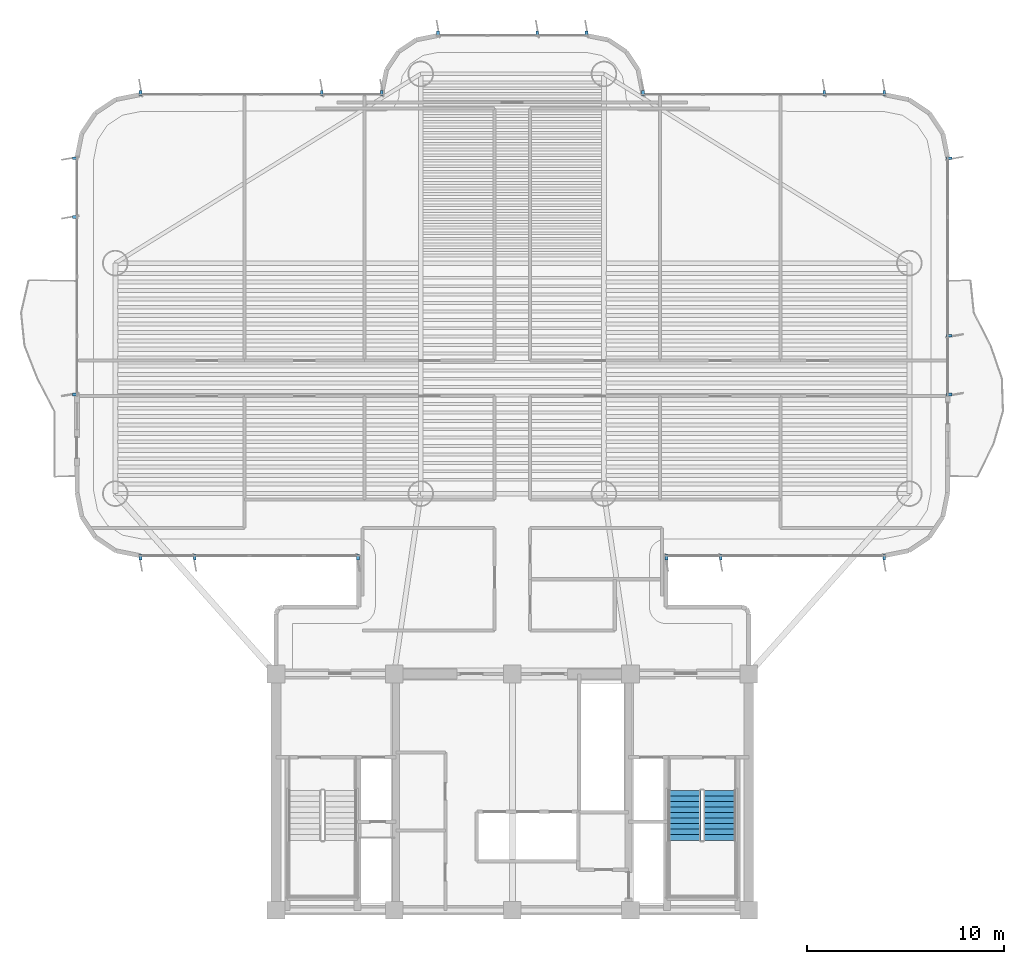
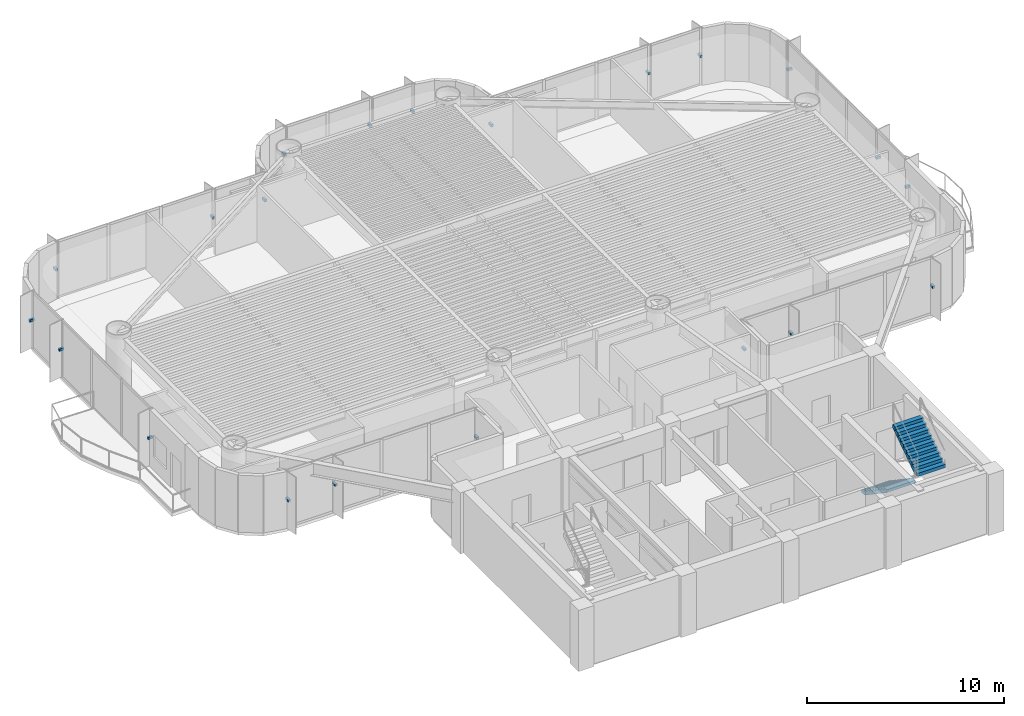
# One storey, part 12 of 16: 21 discrete accessories, 2 stair flights, 1 element without a shape of its own.
"""IFC4 building model written with IfcOpenShell, lengths in metres."""

from ifc_helpers import new_model, si_unit, direction, frame, origin, origin_2d, place, context, subcontext, project, spatial, polyline, rectangle, outline, extrude, source, transform, mapped, material, type_object, element, aggregate, save


model = new_model("IFC4")

# Units and contexts
model_context = context("Model", 3, precision=1e-05, world=origin(), true_north=direction((0.0, 1.0)))
body_context = subcontext(model_context, "Body", "Model", "MODEL_VIEW")
ifc_project = project(units=[si_unit("LENGTHUNIT", "METRE"), si_unit("AREAUNIT", "SQUARE_METRE"), si_unit("VOLUMEUNIT", "CUBIC_METRE"), si_unit("PLANEANGLEUNIT", "RADIAN"), si_unit("MASSUNIT", "GRAM", prefix="KILO")], contexts=[model_context])

# Site, building, storey
site_placement = place(None, origin())
site = spatial("IfcSite", under=ifc_project, at=site_placement, CompositionType="ELEMENT")
building_placement = place(site_placement, origin())
building = spatial("IfcBuilding", under=site, at=building_placement, Name="Brelvock Crest Care Tower", CompositionType="ELEMENT")
storey_placement = place(building_placement, frame((0.0, 0.0, 108.719970703125)))
storey = spatial("IfcBuildingStorey", under=building, at=storey_placement, Name="L27", CompositionType="ELEMENT", Elevation=108.719970703125)

# Stair, stair flights
ifc_material_1 = material(Name="Concrete N40 (40 MPa)", Category="concrete")
stair_type = type_object("IfcStairType", Name="ST-CORE1", PredefinedType="HALF_TURN_STAIR", material=ifc_material_1)
stair_placement = place(storey_placement, origin())
stair = element("IfcStair", 1, at=stair_placement, inside=storey, type_object=stair_type, Name="L27 Fire-Isolated Core Stair ST-2", PredefinedType="HALF_TURN_STAIR")
stair_flight_type = type_object("IfcStairFlightType", Name="STF-1", PredefinedType="STRAIGHT", material=ifc_material_1)
stair_flight_1_placement = place(storey_placement, frame((44.72998046875, 12.080078125, 0.0), z_axis=(0.0, 0.0, 1.0), x_axis=(0.0, -1.0, 0.0)))
stair_flight_1 = element("IfcStairFlight", 2, at=stair_flight_1_placement, type_object=stair_flight_type, Name="ST-2 flight 1", NumberOfRisers=10, NumberOfTreads=9, PredefinedType="STRAIGHT", RiserHeight=0.189, TreadLength=0.28, context=body_context, shape_type="SweptSolid", body=[
    extrude(outline(polyline([(-0.00390625, -0.014892578125), (-0.00390625, -0.0078125), (-0.00390625, -0.00048828125), (-0.00390625, 0.0068359375), (-0.00390625, 0.01416015625), (-0.00390625, 0.021484375), (-0.00390625, 0.02880859375), (-0.00390625, 0.035888671875), (-0.00390625, 0.043212890625), (-0.00390625, 0.050537109375), (-0.00390625, 0.057861328125), (-0.00390625, 0.065185546875), (-0.00390625, 0.072509765625), (-0.00390625, 0.07958984375), (-0.00390625, 0.0869140625), (-0.00390625, 0.09423828125), (-0.00390625, 0.1015625), (-0.00390625, 0.10888671875), (-0.00390625, 0.1162109375), (-0.00390625, 0.12353515625), (-0.00390625, 0.130615234375), (-0.00390625, 0.137939453125), (-0.00390625, 0.145263671875), (-0.00390625, 0.152587890625), (-0.00390625, 0.159912109375), (-0.00390625, 0.167236328125), (-0.00390625, 0.17431640625), (-0.00390625, 0.181640625), (-0.00390625, 0.18896484375), (0.0, 0.18896484375), (0.280029296875, 0.18896484375), (0.280029296875, 0.3779296875), (0.56005859375, 0.3779296875), (0.56005859375, 0.56689453125), (0.840087890625, 0.56689453125), (0.840087890625, 0.756103515625), (1.1201171875, 0.756103515625), (1.1201171875, 0.945068359375), (1.39990234375, 0.945068359375), (1.39990234375, 1.134033203125), (1.679931640625, 1.134033203125), (1.679931640625, 1.322998046875), (1.9599609375, 1.322998046875), (1.9599609375, 1.511962890625), (2.239990234375, 1.511962890625), (2.239990234375, 1.700927734375), (2.52001953125, 1.700927734375), (2.52392578125, 1.700927734375), (2.523681640625, 1.70068359375), (2.52392578125, 1.700439453125), (2.523681640625, 1.699951171875), (2.52392578125, 1.69970703125), (2.523681640625, 1.699462890625), (2.52392578125, 1.698974609375), (2.523681640625, 1.69873046875), (2.52392578125, 1.698486328125), (2.523681640625, 1.697998046875), (2.52392578125, 1.69775390625), (2.523681640625, 1.697509765625), (2.52392578125, 1.697021484375), (2.523681640625, 1.69677734375), (2.52392578125, 1.696533203125), (2.523681640625, 1.6962890625), (2.52392578125, 1.69580078125), (2.523681640625, 1.695556640625), (2.52392578125, 1.6953125), (2.523681640625, 1.69482421875), (2.52392578125, 1.694580078125), (2.523681640625, 1.6943359375), (2.52392578125, 1.69384765625), (2.523681640625, 1.693603515625), (2.52392578125, 1.693359375), (2.523681640625, 1.69287109375), (2.52392578125, 1.692626953125), (2.523681640625, 1.6923828125), (2.52392578125, 1.69189453125), (2.52001953125, 1.520263671875), (0.267822265625, 0.0), (0.0, 0.0), (0.0, -0.014892578125), (-0.00390625, -0.014892578125)])), frame((0.0, 0.83984375, 0.0), z_axis=(0.0, -1.0, 0.0), x_axis=(1.0, 0.0, 0.0)), (0.0, 0.0, 1.0), 1.679931640625),
])
stair_flight_2_placement = place(storey_placement, frame((46.530029296875, 9.56005859375, 1.89013671875), z_axis=(0.0, 0.0, 1.0), x_axis=(0.0, 1.0, 0.0)))
stair_flight_2 = element("IfcStairFlight", 3, at=stair_flight_2_placement, type_object=stair_flight_type, Name="ST-2 flight 2", NumberOfRisers=10, NumberOfTreads=9, PredefinedType="STRAIGHT", RiserHeight=0.189, TreadLength=0.28, context=body_context, shape_type="SweptSolid", body=[
    extrude(outline(polyline([(-0.00390625, -0.014892578125), (-0.00390625, -0.0078125), (-0.00390625, -0.00048828125), (-0.00390625, 0.0068359375), (-0.00390625, 0.01416015625), (-0.00390625, 0.021484375), (-0.00390625, 0.02880859375), (-0.00390625, 0.035888671875), (-0.00390625, 0.043212890625), (-0.00390625, 0.050537109375), (-0.00390625, 0.057861328125), (-0.00390625, 0.065185546875), (-0.00390625, 0.072509765625), (-0.00390625, 0.07958984375), (-0.00390625, 0.0869140625), (-0.00390625, 0.09423828125), (-0.00390625, 0.1015625), (-0.00390625, 0.10888671875), (-0.00390625, 0.1162109375), (-0.00390625, 0.12353515625), (-0.00390625, 0.130615234375), (-0.00390625, 0.137939453125), (-0.00390625, 0.145263671875), (-0.00390625, 0.152587890625), (-0.00390625, 0.159912109375), (-0.00390625, 0.167236328125), (-0.00390625, 0.17431640625), (-0.00390625, 0.181640625), (-0.00390625, 0.18896484375), (0.0, 0.18896484375), (0.280029296875, 0.18896484375), (0.280029296875, 0.3779296875), (0.56005859375, 0.3779296875), (0.56005859375, 0.56689453125), (0.840087890625, 0.56689453125), (0.840087890625, 0.756103515625), (1.1201171875, 0.756103515625), (1.1201171875, 0.945068359375), (1.39990234375, 0.945068359375), (1.39990234375, 1.134033203125), (1.679931640625, 1.134033203125), (1.679931640625, 1.322998046875), (1.9599609375, 1.322998046875), (1.9599609375, 1.511962890625), (2.239990234375, 1.511962890625), (2.239990234375, 1.700927734375), (2.52001953125, 1.700927734375), (2.52392578125, 1.700927734375), (2.523681640625, 1.70068359375), (2.52392578125, 1.700439453125), (2.523681640625, 1.699951171875), (2.52392578125, 1.69970703125), (2.523681640625, 1.699462890625), (2.52392578125, 1.698974609375), (2.523681640625, 1.69873046875), (2.52392578125, 1.698486328125), (2.523681640625, 1.697998046875), (2.52392578125, 1.69775390625), (2.523681640625, 1.697509765625), (2.52392578125, 1.697021484375), (2.523681640625, 1.69677734375), (2.52392578125, 1.696533203125), (2.523681640625, 1.6962890625), (2.52392578125, 1.69580078125), (2.523681640625, 1.695556640625), (2.52392578125, 1.6953125), (2.523681640625, 1.69482421875), (2.52392578125, 1.694580078125), (2.523681640625, 1.6943359375), (2.52392578125, 1.69384765625), (2.523681640625, 1.693603515625), (2.52392578125, 1.693359375), (2.523681640625, 1.69287109375), (2.52392578125, 1.692626953125), (2.523681640625, 1.6923828125), (2.52392578125, 1.69189453125), (2.52001953125, 1.520263671875), (0.267822265625, 0.0), (0.0, 0.0), (0.0, -0.014892578125), (-0.00390625, -0.014892578125)])), frame((0.0, 0.83984375, 0.0), z_axis=(0.0, -1.0, 0.0), x_axis=(1.0, 0.0, 0.0)), (0.0, 0.0, 1.0), 1.679931640625),
])
aggregate(stair, [stair_flight_1, stair_flight_2])

# Discrete accessories
ifc_material_2 = material(Name="Steel Grade 350", Category="steel")
discrete_accessory_type = type_object("IfcDiscreteAccessoryType", Name="ACC-BRK1", PredefinedType="BRACKET", material=ifc_material_2)
shared_shape = source(origin(), body_context, "Body", "SweptSolid", [
    extrude(rectangle(XDim=0.280029296875, YDim=0.139892578125, at=origin_2d()), origin(), (0.0, 0.0, 1.0), 0.139892578125),
])
for number, where, z_axis, x_axis, name in (
    (4, (28.169921875, 23.919921875, 1.6953125), (0.0, 0.0, 1.0), (0.0, -1.0, 0.0), "L27 Facade Fin Bracket E12-01"),
    (5, (19.875, 23.919921875, 1.6953125), (0.0, 0.0, 1.0), (0.0, -1.0, 0.0), "L27 Facade Fin Bracket E12-04"),
    (6, (17.1298828125, 23.919921875, 1.6953125), (0.0, 0.0, 1.0), (0.0, -1.0, 0.0), "L27 Facade Fin Bracket E12-05"),
    (7, (13.820068359375, 32.179931640625, 1.6953125), (0.0, 0.0, 1.0), (-1.0, 0.0, 0.0), "L27 Facade Fin Bracket E17B-01"),
    (8, (13.820068359375, 41.1875, 1.6953125), (0.0, 0.0, 1.0), (-1.0, 0.0, 0.0), "L27 Facade Fin Bracket E17B-04"),
    (9, (13.820068359375, 44.169921875, 1.6953125), (0.0, 0.0, 1.0), (-1.0, 0.0, 0.0), "L27 Facade Fin Bracket E17B-05"),
    (10, (17.1298828125, 47.47998046875, 1.6953125), (0.0, 0.0, 1.0), (0.0, 1.0, 0.0), "L27 Facade Fin Bracket E22-01"),
    (11, (26.324951171875, 47.47998046875, 1.6953125), (0.0, 0.0, 1.0), (0.0, 1.0, 0.0), "L27 Facade Fin Bracket E22-04"),
    (12, (29.3701171875, 47.47998046875, 1.6953125), (0.0, 0.0, 1.0), (0.0, 1.0, 0.0), "L27 Facade Fin Bracket E22-05"),
    (13, (32.22998046875, 50.47998046875, 1.6953125), (0.0, 0.0, 1.0), (0.0, 1.0, 0.0), "L27 Facade Fin Bracket E28-01"),
    (14, (37.2666015625, 50.47998046875, 1.6953125), (0.0, 0.0, 1.0), (0.0, 1.0, 0.0), "L27 Facade Fin Bracket E28-03"),
    (15, (39.77001953125, 50.47998046875, 1.6953125), (0.0, 0.0, 1.0), (0.0, 1.0, 0.0), "L27 Facade Fin Bracket E28-04"),
    (16, (42.6298828125, 47.47998046875, 1.6953125), (0.0, 0.0, 1.0), (0.0, 1.0, 0.0), "L27 Facade Fin Bracket E34-01"),
    (17, (51.824951171875, 47.47998046875, 1.6953125), (0.0, 0.0, 1.0), (0.0, 1.0, 0.0), "L27 Facade Fin Bracket E34-04"),
    (18, (54.8701171875, 47.47998046875, 1.6953125), (0.0, 0.0, 1.0), (0.0, 1.0, 0.0), "L27 Facade Fin Bracket E34-05"),
    (19, (58.179931640625, 44.169921875, 1.6953125), (0.0, 0.0, 1.0), (1.0, 0.0, 0.0), "L27 Facade Fin Bracket E39A-01"),
    (20, (58.179931640625, 35.16259765625, 1.6953125), (0.0, 0.0, 1.0), (1.0, 0.0, 0.0), "L27 Facade Fin Bracket E39A-04"),
    (21, (58.179931640625, 32.179931640625, 1.6953125), (0.0, 0.0, 1.0), (1.0, 0.0, 0.0), "L27 Facade Fin Bracket E39A-05"),
    (22, (54.8701171875, 23.919921875, 1.6953125), (0.0, 0.0, 1.0), (0.0, -1.0, 0.0), "L27 Facade Fin Bracket E44-01"),
    (23, (46.574951171875, 23.919921875, 1.6953125), (0.0, 0.0, 1.0), (0.0, -1.0, 0.0), "L27 Facade Fin Bracket E44-04"),
    (24, (43.830078125, 23.919921875, 1.6953125), (0.0, 0.0, 1.0), (0.0, -1.0, 0.0), "L27 Facade Fin Bracket E44-05"),
):
    element("IfcDiscreteAccessory", number, at=place(storey_placement, frame(where, z_axis=z_axis, x_axis=x_axis)), inside=storey, type_object=discrete_accessory_type, Name=name, PredefinedType="BRACKET", context=body_context, shape_type="MappedRepresentation", body=[
        mapped(shared_shape, transform((0.0, 0.0, 0.0), x_axis=(1.0, 0.0, 0.0), y_axis=(0.0, 1.0, 0.0), z_axis=(0.0, 0.0, 1.0), scale=1.0)),
    ])

save(model, "model.ifc")
